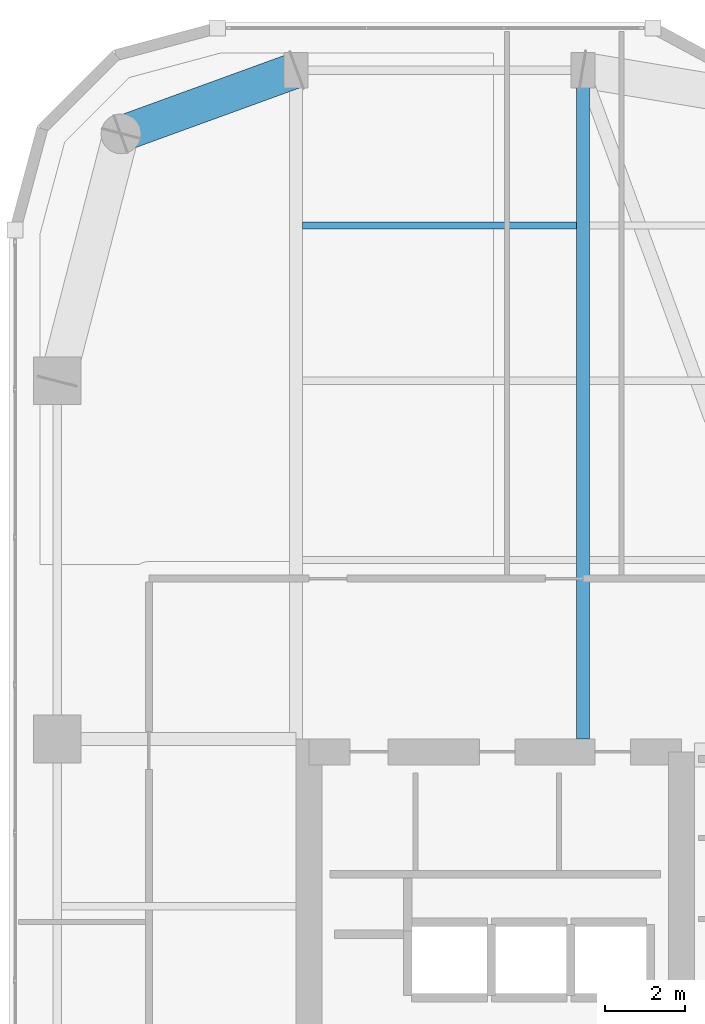
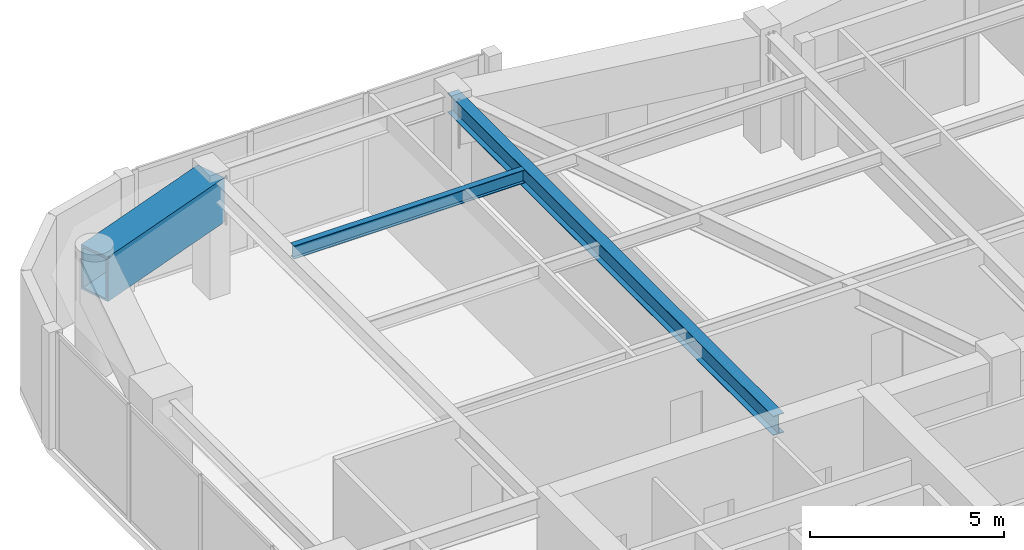
# One storey, part 9 of 21: 3 beams.
"""IFC4 building model written with IfcOpenShell, lengths in metres."""

from ifc_helpers import new_model, si_unit, direction, frame, origin, origin_2d, place, context, subcontext, project, spatial, hollow_rectangle, i_section, extrude, material, material_profile, profile_set, type_object, element, save


model = new_model("IFC4")

# Units and contexts
model_context = context("Model", 3, precision=1e-05, world=origin(), true_north=direction((0.0, 1.0)))
body_context = subcontext(model_context, "Body", "Model", "MODEL_VIEW")
ifc_project = project(units=[si_unit("LENGTHUNIT", "METRE"), si_unit("AREAUNIT", "SQUARE_METRE"), si_unit("VOLUMEUNIT", "CUBIC_METRE"), si_unit("PLANEANGLEUNIT", "RADIAN"), si_unit("MASSUNIT", "GRAM", prefix="KILO")], contexts=[model_context])

# Site, building, storey
site_placement = place(None, origin())
site = spatial("IfcSite", under=ifc_project, at=site_placement, CompositionType="ELEMENT")
building_placement = place(site_placement, origin())
building = spatial("IfcBuilding", under=site, at=building_placement, Name="Kiyonajd Concourse Tower", CompositionType="ELEMENT")
storey_placement = place(building_placement, frame((0.0, 0.0, 219.300048828125)))
storey = spatial("IfcBuildingStorey", under=building, at=storey_placement, Name="L55", CompositionType="ELEMENT", Elevation=219.300048828125)

# Beams
ifc_material_1 = material(Name="Steel ASTM A992 Grade 50", Category="steel")
ifc_material_profile_1 = material_profile(ifc_material_1, i_section(OverallWidth=0.180908203125, OverallDepth=0.4169921875, WebThickness=0.010986328125, FlangeThickness=0.018310546875, at=origin_2d()), Name="W410X85")
ifc_profile_set_1 = profile_set([ifc_material_profile_1], Name="Steel ASTM A992 Grade 50")
beam_type_1 = type_object("IfcBeamType", Name="BM-JST-410", PredefinedType="JOIST", material=ifc_profile_set_1)
beam_1_placement = place(storey_placement, frame((32.56201171875, 57.300048828125, 3.471435546875), z_axis=(1.0, 0.0, 0.0), x_axis=(0.0, 1.0, 0.0)))
element("IfcBeam", 1, at=beam_1_placement, inside=storey, type_object=beam_type_1, Name="L55 Secondary Floor Joist", PredefinedType="JOIST", context=body_context, shape_type="SweptSolid", body=[
    extrude(i_section(OverallWidth=0.180908203125, OverallDepth=0.4169921875, WebThickness=0.010986328125, FlangeThickness=0.018310546875, at=origin_2d()), origin(), (0.0, 0.0, 1.0), 6.8759765625),
])
ifc_material_profile_2 = material_profile(ifc_material_1, i_section(OverallWidth=0.323974609375, OverallDepth=0.611083984375, WebThickness=0.0126953125, FlangeThickness=0.01904296875, at=origin_2d()), Name="W610X155")
ifc_profile_set_2 = profile_set([ifc_material_profile_2], Name="Steel ASTM A992 Grade 50")
beam_type_2 = type_object("IfcBeamType", Name="BM-TWR-610B", PredefinedType="BEAM", material=ifc_profile_set_2)
beam_2_placement = place(storey_placement, frame((39.60009765625, 44.39990234375, 3.37451171875), z_axis=(0.0, 1.0, 0.0), x_axis=(-1.0, 0.0, 0.0)))
element("IfcBeam", 2, at=beam_2_placement, inside=storey, type_object=beam_type_2, Name="L55 North Lease Girder", PredefinedType="BEAM", context=body_context, shape_type="SweptSolid", body=[
    extrude(i_section(OverallWidth=0.323974609375, OverallDepth=0.611083984375, WebThickness=0.0126953125, FlangeThickness=0.01904296875, at=origin_2d()), origin(), (0.0, 0.0, 1.0), 16.800048828125),
])
ifc_material_2 = material(Name="Steel ASTM A572 Grade 50", Category="steel")
ifc_material_profile_3 = material_profile(ifc_material_2, hollow_rectangle(XDim=0.89990234375, YDim=1.39990234375, WallThickness=0.070068359375, at=origin_2d()), Name="BOX-1400x900x70")
ifc_profile_set_3 = profile_set([ifc_material_profile_3], Name="Steel ASTM A572 Grade 50")
beam_type_3 = type_object("IfcBeamType", Name="BM-XFER-1400", PredefinedType="BEAM", material=ifc_profile_set_3)
beam_3_placement = place(storey_placement, frame((32.39990234375, 61.199951171875, 2.97998046875), z_axis=(-0.939801036019, -0.341722127901, 0.0), x_axis=(0.341722127901, -0.939801036019, 0.0)))
element("IfcBeam", 3, at=beam_3_placement, inside=storey, type_object=beam_type_3, Name="L55 Perimeter Bundled Tube Spandrel", PredefinedType="BEAM", context=body_context, shape_type="SweptSolid", body=[
    extrude(hollow_rectangle(XDim=0.89990234375, YDim=1.39990234375, WallThickness=0.070068359375, at=origin_2d()), origin(), (0.0, 0.0, 1.0), 4.681640625),
])

save(model, "model.ifc")
